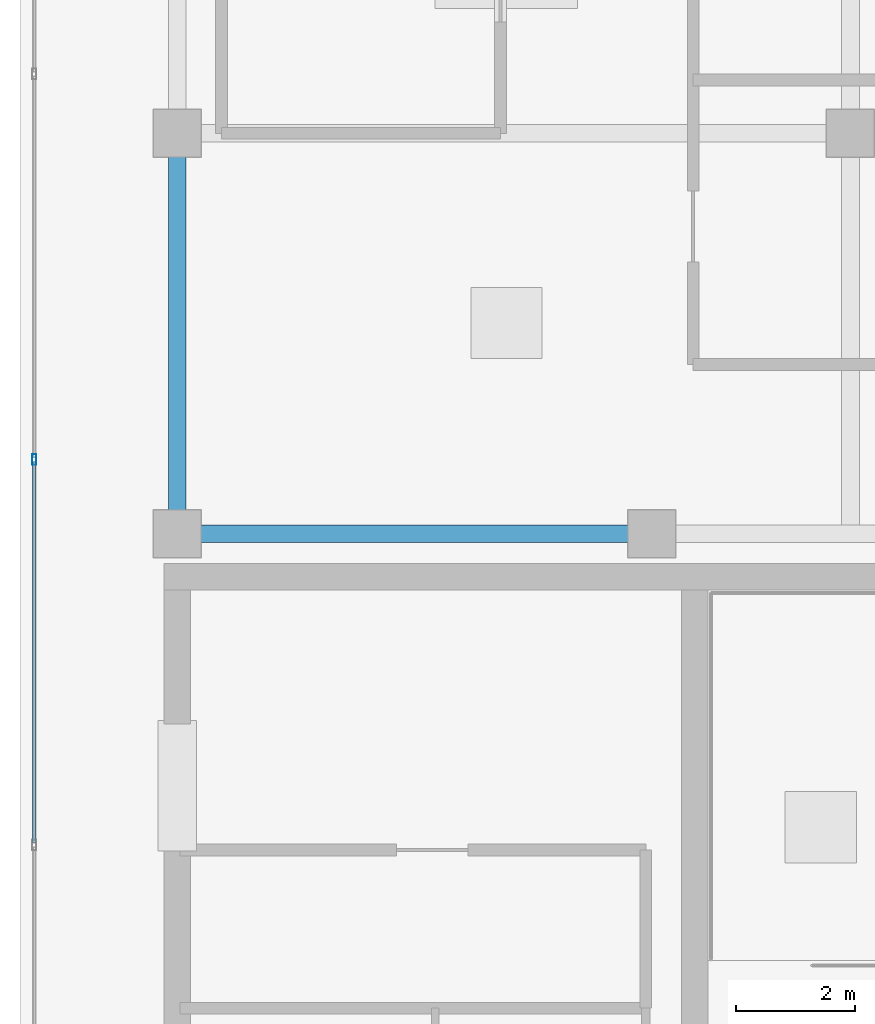
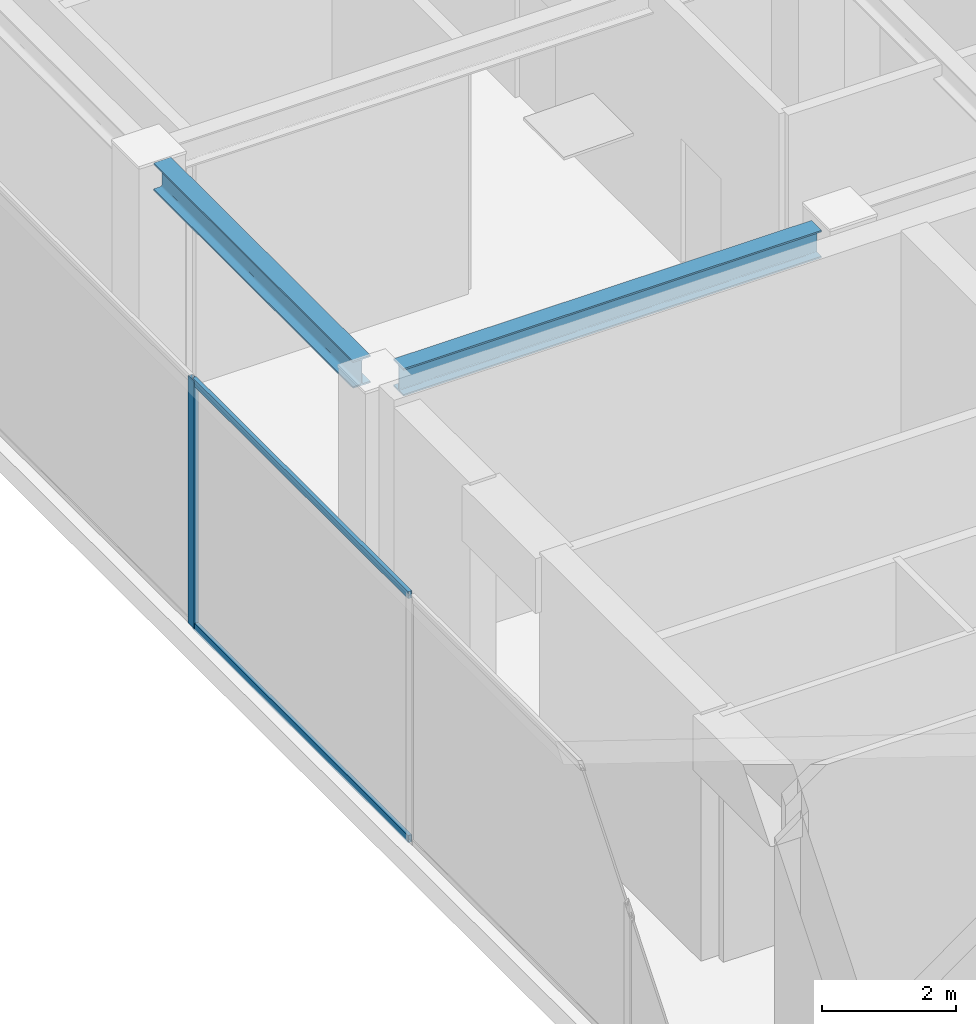
# One storey, part 9 of 22: 3 members, 2 beams, 1 element without a shape of its own.
"""IFC4 building model written with IfcOpenShell, lengths in metres."""

from ifc_helpers import new_model, si_unit, direction, frame, origin, origin_with_axes, origin_2d, place, context, subcontext, project, spatial, hollow_rectangle, i_section, extrude, source, transform, mapped, material, layer, layer_set, material_profile, profile_set, type_object, element, aggregate, save


model = new_model("IFC4")

# Units and contexts
model_context = context("Model", 3, precision=1e-05, world=origin(), true_north=direction((0.0, 1.0)))
body_context = subcontext(model_context, "Body", "Model", "MODEL_VIEW")
ifc_project = project(units=[si_unit("LENGTHUNIT", "METRE"), si_unit("AREAUNIT", "SQUARE_METRE"), si_unit("VOLUMEUNIT", "CUBIC_METRE"), si_unit("PLANEANGLEUNIT", "RADIAN"), si_unit("MASSUNIT", "GRAM", prefix="KILO")], contexts=[model_context])

# Site, building, storey
site_placement = place(None, origin())
site = spatial("IfcSite", under=ifc_project, at=site_placement, CompositionType="ELEMENT")
building_placement = place(site_placement, origin())
building = spatial("IfcBuilding", under=site, at=building_placement, Name="Kolvaren Waterfront Exchange", CompositionType="ELEMENT")
storey_placement = place(building_placement, frame((0.0, 0.0, 360.39990234375)))
storey = spatial("IfcBuildingStorey", under=building, at=storey_placement, Name="RF", CompositionType="ELEMENT", Elevation=360.39990234375)

# Beams
ifc_material_1 = material(Name="Steel S355", Category="steel")
ifc_material_profile_1 = material_profile(ifc_material_1, i_section(OverallWidth=0.300048828125, OverallDepth=0.5, WebThickness=0.014404296875, FlangeThickness=0.028076171875, FilletRadius=0.027099609375, at=origin_2d()), Name="HEB500")
ifc_profile_set_1 = profile_set([ifc_material_profile_1], Name="Steel S355")
beam_type = type_object("IfcBeamType", Name="STR-BM-HEB500", PredefinedType="BEAM", material=ifc_profile_set_1)
beam_1_placement = place(storey_placement, frame((7.449951171875, 24.85205078125, 4.281005859375), z_axis=(0.0, 1.0, 0.0), x_axis=(-1.0, 0.0, 0.0)))
element("IfcBeam", 1, at=beam_1_placement, inside=storey, type_object=beam_type, Name="RF crown roof girder 12", PredefinedType="SPANDREL", context=body_context, shape_type="SweptSolid", body=[
    extrude(i_section(OverallWidth=0.300048828125, OverallDepth=0.5, WebThickness=0.014404296875, FlangeThickness=0.028076171875, FilletRadius=0.027099609375, at=origin_2d()), origin(), (0.0, 0.0, 1.0), 5.946044921875),
])
beam_2_placement = place(storey_placement, frame((7.85205078125, 24.449951171875, 4.281005859375), z_axis=(1.0, 0.0, 0.0), x_axis=(0.0, 1.0, 0.0)))
element("IfcBeam", 2, at=beam_2_placement, inside=storey, type_object=beam_type, Name="RF crown roof girder 18", PredefinedType="BEAM", context=body_context, shape_type="SweptSolid", body=[
    extrude(i_section(OverallWidth=0.300048828125, OverallDepth=0.5, WebThickness=0.014404296875, FlangeThickness=0.028076171875, FilletRadius=0.027099609375, at=origin_2d()), origin(), (0.0, 0.0, 1.0), 7.196044921875),
])

# Curtain wall, members
ifc_material_2 = material(Name="Anodised bronze aluminium 6063-T6", Category="aluminium")
ifc_layer = layer(ifc_material_2, 0.219970703125, Name="Anodised bronze aluminium 6063-T6")
ifc_layer_set = layer_set([ifc_layer], Name="Anodised bronze aluminium 6063-T6")
curtain_wall_type = type_object("IfcCurtainWallType", Name="ARC-CW-SYS5", PredefinedType="USERDEFINED", material=ifc_layer_set)
curtain_wall_placement = place(storey_placement, origin())
curtain_wall = element("IfcCurtainWall", 3, at=curtain_wall_placement, inside=storey, type_object=curtain_wall_type, Name="RF stick curtain wall CW5 (CW-RF-W)", ObjectType="STICK CURTAIN WALL", PredefinedType="USERDEFINED")
ifc_material_profile_2 = material_profile(ifc_material_2, hollow_rectangle(XDim=0.074951171875, YDim=0.179931640625, WallThickness=0.00439453125, at=origin_2d()), Name="ALU-MUL-180x75x4.5")
ifc_profile_set_2 = profile_set([ifc_material_profile_2], Name="Anodised bronze aluminium 6063-T6")
member_type_1 = type_object("IfcMemberType", Name="ARC-CWM-180", PredefinedType="MULLION", material=ifc_profile_set_2)
shared_shape_1 = source(origin_with_axes(), body_context, "Body", "SweptSolid", [
    extrude(hollow_rectangle(XDim=0.074951171875, YDim=0.179931640625, WallThickness=0.00439453125, at=origin_2d()), origin(), (0.0, 0.0, 1.0), 4.504638671875),
])
member_1_placement = place(storey_placement, frame((5.0400390625, 25.699951171875, 0.0), z_axis=(0.0, 0.0, 1.0), x_axis=(-1.0, 0.0, 0.0)))
member_1 = element("IfcMember", 4, at=member_1_placement, type_object=member_type_1, Name="CW5 mullion 4", PredefinedType="MULLION", context=body_context, shape_type="MappedRepresentation", body=[
    mapped(shared_shape_1, transform((0.0, 0.0, 0.0), x_axis=(1.0, 0.0, 0.0), y_axis=(0.0, 1.0, 0.0), z_axis=(0.0, 0.0, 1.0), scale=1.0)),
])
ifc_material_profile_3 = material_profile(ifc_material_2, hollow_rectangle(XDim=0.06494140625, YDim=0.1298828125, WallThickness=0.00390625, at=origin_2d()), Name="ALU-TRN-130x65x4")
ifc_profile_set_3 = profile_set([ifc_material_profile_3], Name="Anodised bronze aluminium 6063-T6")
member_type_2 = type_object("IfcMemberType", Name="ARC-CWT-130", PredefinedType="USERDEFINED", material=ifc_profile_set_3)
shared_shape_2 = source(origin_with_axes(), body_context, "Body", "SweptSolid", [
    extrude(hollow_rectangle(XDim=0.06494140625, YDim=0.1298828125, WallThickness=0.00390625, at=origin_2d()), origin(), (0.0, 0.0, 1.0), 6.425048828125),
])
member_2_placement = place(storey_placement, frame((5.0400390625, 19.237548828125, 0.03271484375), z_axis=(0.0, 1.0, 0.0), x_axis=(-1.0, 0.0, 0.0)))
member_2 = element("IfcMember", 5, at=member_2_placement, type_object=member_type_2, Name="CW5 transom 3.1", ObjectType="TRANSOM", PredefinedType="USERDEFINED", context=body_context, shape_type="MappedRepresentation", body=[
    mapped(shared_shape_2, transform((0.0, 0.0, 0.0), x_axis=(1.0, 0.0, 0.0), y_axis=(0.0, 1.0, 0.0), z_axis=(0.0, 0.0, 1.0), scale=1.0)),
])
member_3_placement = place(storey_placement, frame((5.0400390625, 19.237548828125, 4.47216796875), z_axis=(0.0, 1.0, 0.0), x_axis=(-1.0, 0.0, 0.0)))
member_3 = element("IfcMember", 6, at=member_3_placement, type_object=member_type_2, Name="CW5 transom 3.2", ObjectType="TRANSOM", PredefinedType="USERDEFINED", context=body_context, shape_type="MappedRepresentation", body=[
    mapped(shared_shape_2, transform((0.0, 0.0, 0.0), x_axis=(1.0, 0.0, 0.0), y_axis=(0.0, 1.0, 0.0), z_axis=(0.0, 0.0, 1.0), scale=1.0)),
])
aggregate(curtain_wall, [member_1, member_2, member_3])

save(model, "model.ifc")
